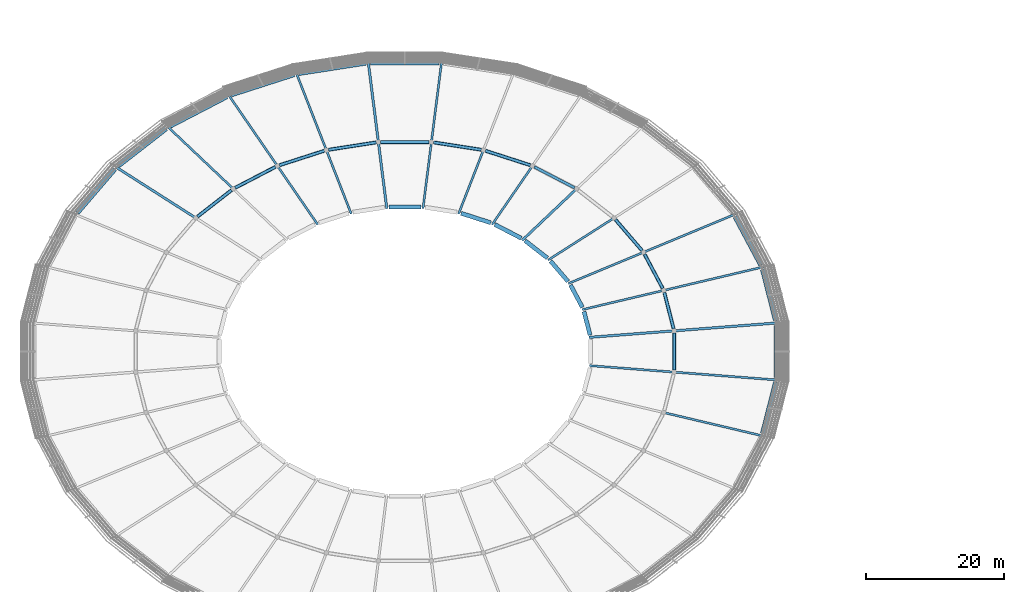
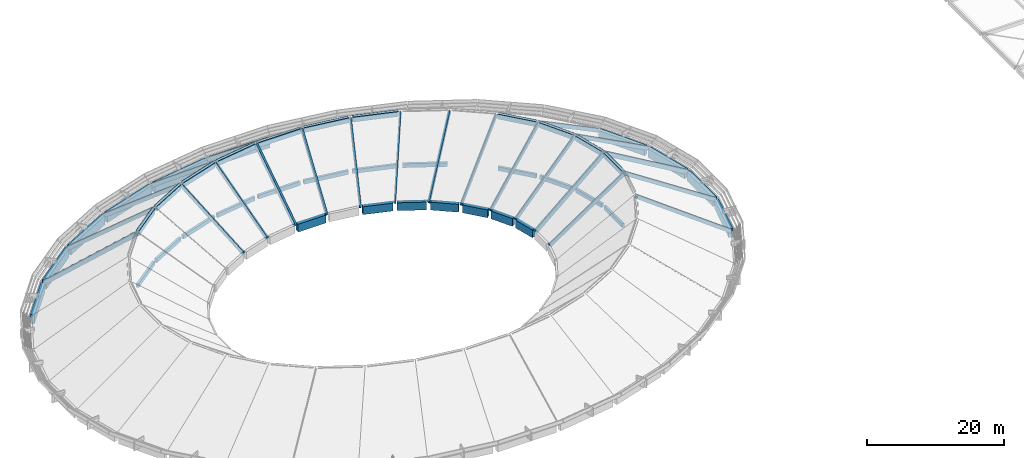
# One storey, part 3 of 15: 63 beams.
"""IFC4 building model written with IfcOpenShell, lengths in metres."""

from ifc_helpers import new_model, si_unit, direction, frame, origin, origin_2d, place, context, subcontext, project, spatial, rectangle, extrude, material, material_profile, profile_set, type_object, element, save


model = new_model("IFC4")

# Units and contexts
model_context = context("Model", 3, precision=1e-05, world=origin(), true_north=direction((0.0, 1.0)))
body_context = subcontext(model_context, "Body", "Model", "MODEL_VIEW")
ifc_project = project(units=[si_unit("LENGTHUNIT", "METRE"), si_unit("AREAUNIT", "SQUARE_METRE"), si_unit("VOLUMEUNIT", "CUBIC_METRE"), si_unit("PLANEANGLEUNIT", "RADIAN"), si_unit("MASSUNIT", "GRAM", prefix="KILO")], contexts=[model_context])

# Site, building, storey
site_placement = place(None, origin())
site = spatial("IfcSite", under=ifc_project, at=site_placement, CompositionType="ELEMENT")
building_placement = place(site_placement, origin())
building = spatial("IfcBuilding", under=site, at=building_placement, Name="Corvandel Quay Wholesale Market", CompositionType="ELEMENT")
storey_placement = place(building_placement, frame((0.0, 0.0, 19.199951171875)))
storey = spatial("IfcBuildingStorey", under=building, at=storey_placement, Name="RF", CompositionType="ELEMENT", Elevation=19.199951171875)

# Beams
ifc_material = material(Name="Precast concrete C45/55", Category="concrete")
ifc_material_profile_1 = material_profile(ifc_material, rectangle(XDim=0.60009765625, YDim=1.39990234375, at=origin_2d()), Name="PC-RING-600x1400")
ifc_profile_set_1 = profile_set([ifc_material_profile_1], Name="Precast concrete C45/55")
beam_type_1 = type_object("IfcBeamType", Name="Inner Yard Shell Ring Beam RB02 600x1400", PredefinedType="USERDEFINED", material=ifc_profile_set_1)
beam_1_placement = place(storey_placement, frame((140.920654296875, 44.3779296875, -4.89990234375), z_axis=(-0.247875307866, 0.968791944512, 0.0), x_axis=(-0.968791944512, -0.247875307866, 0.0)))
element("IfcBeam", 1, at=beam_1_placement, inside=storey, type_object=beam_type_1, Name="Beam BM-0012", ObjectType="GIRDER", PredefinedType="USERDEFINED", context=body_context, shape_type="SweptSolid", body=[
    extrude(rectangle(XDim=0.60009765625, YDim=1.39990234375, at=origin_2d()), origin(), (0.0, 0.0, 1.0), 3.547607421875),
])
beam_2_placement = place(storey_placement, frame((139.8115234375, 48.407470703125, -4.89990234375), z_axis=(-0.469959676706, 0.882687884969, 0.0), x_axis=(-0.882687884969, -0.469959676706, 0.0)))
element("IfcBeam", 2, at=beam_2_placement, inside=storey, type_object=beam_type_1, Name="Beam BM-0025", ObjectType="GIRDER", PredefinedType="USERDEFINED", context=body_context, shape_type="SweptSolid", body=[
    extrude(rectangle(XDim=0.60009765625, YDim=1.39990234375, at=origin_2d()), origin(), (0.0, 0.0, 1.0), 3.68994140625),
])
beam_3_placement = place(storey_placement, frame((137.718505859375, 52.189697265625, -4.89990234375), z_axis=(-0.651616884039, 0.758548242655, 0.0), x_axis=(-0.758548242655, -0.651616884039, 0.0)))
element("IfcBeam", 3, at=beam_3_placement, inside=storey, type_object=beam_type_1, Name="Beam BM-0038", ObjectType="GIRDER", PredefinedType="USERDEFINED", context=body_context, shape_type="SweptSolid", body=[
    extrude(rectangle(XDim=0.60009765625, YDim=1.39990234375, at=origin_2d()), origin(), (0.0, 0.0, 1.0), 3.89501953125),
])
beam_4_placement = place(storey_placement, frame((134.719482421875, 55.58349609375, -4.89990234375), z_axis=(-0.789393650458, 0.6138873387, 0.0), x_axis=(-0.6138873387, -0.789393650458, 0.0)))
element("IfcBeam", 4, at=beam_4_placement, inside=storey, type_object=beam_type_1, Name="Beam BM-0051", ObjectType="GIRDER", PredefinedType="USERDEFINED", context=body_context, shape_type="SweptSolid", body=[
    extrude(rectangle(XDim=0.60009765625, YDim=1.39990234375, at=origin_2d()), origin(), (0.0, 0.0, 1.0), 4.12451171875),
])
beam_5_placement = place(storey_placement, frame((130.927001953125, 58.459716796875, -4.89990234375), z_axis=(-0.887348372729, 0.461099626346, 0.0), x_axis=(-0.461099626346, -0.887348372729, 0.0)))
element("IfcBeam", 5, at=beam_5_placement, inside=storey, type_object=beam_type_1, Name="Beam BM-0064", ObjectType="GIRDER", PredefinedType="USERDEFINED", context=body_context, shape_type="SweptSolid", body=[
    extrude(rectangle(XDim=0.60009765625, YDim=1.39990234375, at=origin_2d()), origin(), (0.0, 0.0, 1.0), 4.34326171875),
])
beam_6_placement = place(storey_placement, frame((126.484375, 60.7080078125, -4.89990234375), z_axis=(-0.951794583003, 0.306736159862, 0.0), x_axis=(-0.306736159862, -0.951794583003, 0.0)))
element("IfcBeam", 6, at=beam_6_placement, inside=storey, type_object=beam_type_1, Name="Beam BM-0076", ObjectType="GIRDER", PredefinedType="USERDEFINED", context=body_context, shape_type="SweptSolid", body=[
    extrude(rectangle(XDim=0.60009765625, YDim=1.39990234375, at=origin_2d()), origin(), (0.0, 0.0, 1.0), 4.521728515625),
])
beam_7_placement = place(storey_placement, frame((116.339111328125, 63.0, -4.89990234375), z_axis=(-1.0, 0.0, 0.0), x_axis=(0.0, -1.0, 0.0)))
element("IfcBeam", 7, at=beam_7_placement, inside=storey, type_object=beam_type_1, Name="Beam BM-0101", ObjectType="GIRDER", PredefinedType="USERDEFINED", context=body_context, shape_type="SweptSolid", body=[
    extrude(rectangle(XDim=0.60009765625, YDim=1.39990234375, at=origin_2d()), origin(), (0.0, 0.0, 1.0), 4.67822265625),
])
ifc_material_profile_2 = material_profile(ifc_material, rectangle(XDim=0.64990234375, YDim=1.60009765625, at=origin_2d()), Name="PC-RING-650x1600")
ifc_profile_set_2 = profile_set([ifc_material_profile_2], Name="Precast concrete C45/55")
beam_type_2 = type_object("IfcBeamType", Name="Outer Elliptical Shell Ring Beam RB01 650x1600", PredefinedType="USERDEFINED", material=ifc_profile_set_2)
beam_8_placement = place(storey_placement, frame((167.91455078125, 46.47119140625, -5.0), z_axis=(-0.247756974273, 0.968822213669, 0.0), x_axis=(-0.968822213669, -0.247756974273, 0.0)))
element("IfcBeam", 8, at=beam_8_placement, inside=storey, type_object=beam_type_2, Name="Beam BM-0011", ObjectType="GIRDER", PredefinedType="USERDEFINED", context=body_context, shape_type="SweptSolid", body=[
    extrude(rectangle(XDim=0.64990234375, YDim=1.60009765625, at=origin_2d()), origin(), (0.0, 0.0, 1.0), 7.68505859375),
])
beam_9_placement = place(storey_placement, frame((165.7626953125, 54.555419921875, -5.0), z_axis=(-0.470101631757, 0.882612290771, 0.0), x_axis=(-0.882612290771, -0.470101631757, 0.0)))
element("IfcBeam", 9, at=beam_9_placement, inside=storey, type_object=beam_type_2, Name="Beam BM-0024", ObjectType="GIRDER", PredefinedType="USERDEFINED", context=body_context, shape_type="SweptSolid", body=[
    extrude(rectangle(XDim=0.64990234375, YDim=1.60009765625, at=origin_2d()), origin(), (0.0, 0.0, 1.0), 7.9697265625),
])
beam_10_placement = place(storey_placement, frame((118.97412109375, 84.0, -5.0), z_axis=(-1.0, 0.0, 0.0), x_axis=(0.0, -1.0, 0.0)))
element("IfcBeam", 10, at=beam_10_placement, inside=storey, type_object=beam_type_2, Name="Beam BM-0100", ObjectType="GIRDER", PredefinedType="USERDEFINED", context=body_context, shape_type="SweptSolid", body=[
    extrude(rectangle(XDim=0.64990234375, YDim=1.60009765625, at=origin_2d()), origin(), (0.0, 0.0, 1.0), 9.9482421875),
])
beam_11_placement = place(storey_placement, frame((108.340087890625, 83.947265625, -5.0), z_axis=(-0.988241749204, -0.152899460859, 0.0), x_axis=(0.152899460859, -0.988241749204, 0.0)))
element("IfcBeam", 11, at=beam_11_placement, inside=storey, type_object=beam_type_2, Name="Beam BM-0112", ObjectType="GIRDER", PredefinedType="USERDEFINED", context=body_context, shape_type="SweptSolid", body=[
    extrude(rectangle(XDim=0.64990234375, YDim=1.60009765625, at=origin_2d()), origin(), (0.0, 0.0, 1.0), 9.8662109375),
])
beam_12_placement = place(storey_placement, frame((97.920654296875, 82.2802734375, -5.0), z_axis=(-0.951825090042, -0.306641481158, 0.0), x_axis=(0.306641481158, -0.951825090042, 0.0)))
element("IfcBeam", 12, at=beam_12_placement, inside=storey, type_object=beam_type_2, Name="Beam BM-0124", ObjectType="GIRDER", PredefinedType="USERDEFINED", context=body_context, shape_type="SweptSolid", body=[
    extrude(rectangle(XDim=0.64990234375, YDim=1.60009765625, at=origin_2d()), origin(), (0.0, 0.0, 1.0), 9.63525390625),
])
beam_13_placement = place(storey_placement, frame((88.114990234375, 79.060791015625, -5.0), z_axis=(-0.887349906091, -0.461096675503, 0.0), x_axis=(0.461096675503, -0.887349906091, 0.0)))
element("IfcBeam", 13, at=beam_13_placement, inside=storey, type_object=beam_type_2, Name="Beam BM-0137", ObjectType="GIRDER", PredefinedType="USERDEFINED", context=body_context, shape_type="SweptSolid", body=[
    extrude(rectangle(XDim=0.64990234375, YDim=1.60009765625, at=origin_2d()), origin(), (0.0, 0.0, 1.0), 9.277099609375),
])
beam_14_placement = place(storey_placement, frame((79.3046875, 74.412109375, -5.0), z_axis=(-0.789326934586, -0.613973118578, 0.0), x_axis=(0.613973118578, -0.789326934586, 0.0)))
element("IfcBeam", 14, at=beam_14_placement, inside=storey, type_object=beam_type_2, Name="Beam BM-0150", ObjectType="GIRDER", PredefinedType="USERDEFINED", context=body_context, shape_type="SweptSolid", body=[
    extrude(rectangle(XDim=0.64990234375, YDim=1.60009765625, at=origin_2d()), origin(), (0.0, 0.0, 1.0), 8.839599609375),
])
beam_15_placement = place(storey_placement, frame((71.830078125, 68.51123046875, -5.0), z_axis=(-0.651594924137, -0.758567106352, 0.0), x_axis=(0.758567106352, -0.651594924137, 0.0)))
element("IfcBeam", 15, at=beam_15_placement, inside=storey, type_object=beam_type_2, Name="Beam BM-0163", ObjectType="GIRDER", PredefinedType="USERDEFINED", context=body_context, shape_type="SweptSolid", body=[
    extrude(rectangle(XDim=0.64990234375, YDim=1.60009765625, at=origin_2d()), origin(), (0.0, 0.0, 1.0), 8.378173828125),
])
beam_16_placement = place(storey_placement, frame((166.010498046875, 30.083251953125, -5.0), z_axis=(0.247756974273, 0.968822213669, 0.0), x_axis=(-0.968822213669, 0.247756974273, 0.0)))
element("IfcBeam", 16, at=beam_16_placement, inside=storey, type_object=beam_type_2, Name="Beam BM-0379", ObjectType="GIRDER", PredefinedType="USERDEFINED", context=body_context, shape_type="SweptSolid", body=[
    extrude(rectangle(XDim=0.64990234375, YDim=1.60009765625, at=origin_2d()), origin(), (0.0, 0.0, 1.0), 7.68505859375),
])
beam_17_placement = place(storey_placement, frame((168.0, 38.2080078125, -5.0), z_axis=(0.0, 1.0, 0.0), x_axis=(-1.0, 0.0, 0.0)))
element("IfcBeam", 17, at=beam_17_placement, inside=storey, type_object=beam_type_2, Name="Beam BM-0391", ObjectType="GIRDER", PredefinedType="USERDEFINED", context=body_context, shape_type="SweptSolid", body=[
    extrude(rectangle(XDim=0.64990234375, YDim=1.60009765625, at=origin_2d()), origin(), (0.0, 0.0, 1.0), 7.583984375),
])
ifc_material_profile_3 = material_profile(ifc_material, rectangle(XDim=0.35009765625, YDim=0.699951171875, at=origin_2d()), Name="PC-RIB-350x700")
ifc_profile_set_3 = profile_set([ifc_material_profile_3], Name="Precast concrete C45/55")
beam_type_3 = type_object("IfcBeamType", Name="Primary Radial Shell Arch Rib AR01 350x700", PredefinedType="BEAM", material=ifc_profile_set_3)
beam_18_placement = place(storey_placement, frame((168.0, 46.136962890625, -4.52001953125), z_axis=(-0.846756762178, -0.064885628983, 0.528008371957), x_axis=(0.076404423709, -0.997076909791, 0.0)))
element("IfcBeam", 18, at=beam_18_placement, inside=storey, type_object=beam_type_3, Name="Beam BM-0395", PredefinedType="BEAM", context=body_context, shape_type="SweptSolid", body=[
    extrude(rectangle(XDim=0.35009765625, YDim=0.699951171875, at=origin_2d()), origin(), (0.0, 0.0, 1.0), 17.53759765625),
])
beam_19_placement = place(storey_placement, frame((141.0, 44.068115234375, -4.52001953125), z_axis=(0.793866285191, 0.060824903457, 0.605042686392), x_axis=(-0.076394669191, 0.997077657216, 0.0)))
element("IfcBeam", 19, at=beam_19_placement, inside=storey, type_object=beam_type_3, Name="Beam BM-0396", PredefinedType="BEAM", context=body_context, shape_type="SweptSolid", body=[
    extrude(rectangle(XDim=0.35009765625, YDim=0.699951171875, at=origin_2d()), origin(), (0.0, 0.0, 1.0), 15.3046875),
])
beam_20_placement = place(storey_placement, frame((131.2109375, 58.31201171875, -4.52001953125), z_axis=(0.548243512081, 0.519507727897, 0.655393600912), x_axis=(-0.687827772453, 0.725873925308, 0.0)))
element("IfcBeam", 20, at=beam_20_placement, inside=storey, type_object=beam_type_3, Name="Beam BM-0408", PredefinedType="BEAM", context=body_context, shape_type="SweptSolid", body=[
    extrude(rectangle(XDim=0.35009765625, YDim=0.699951171875, at=origin_2d()), origin(), (0.0, 0.0, 1.0), 14.12890625),
])
beam_21_placement = place(storey_placement, frame((108.680908203125, 84.0, -4.52001953125), z_axis=(0.098356100915, -0.776427294876, 0.622484323646), x_axis=(0.992071662114, 0.125673454756, 0.0)))
element("IfcBeam", 21, at=beam_21_placement, inside=storey, type_object=beam_type_3, Name="Beam BM-0419", PredefinedType="BEAM", context=body_context, shape_type="SweptSolid", body=[
    extrude(rectangle(XDim=0.35009765625, YDim=0.699951171875, at=origin_2d()), origin(), (0.0, 0.0, 1.0), 14.8759765625),
])
beam_22_placement = place(storey_placement, frame((111.341064453125, 63.0, -4.52001953125), z_axis=(-0.090105534682, 0.711343041188, 0.697045242701), x_axis=(-0.992072676886, -0.125665443842, 0.0)))
element("IfcBeam", 22, at=beam_22_placement, inside=storey, type_object=beam_type_3, Name="Beam BM-0420", PredefinedType="BEAM", context=body_context, shape_type="SweptSolid", body=[
    extrude(rectangle(XDim=0.35009765625, YDim=0.699951171875, at=origin_2d()), origin(), (0.0, 0.0, 1.0), 13.28466796875),
])
beam_23_placement = place(storey_placement, frame((72.054931640625, 68.77294921875, -4.52001953125), z_axis=(0.698129767083, -0.445566016051, 0.560433540799), x_axis=(0.537993647412, 0.842948892486, 0.0)))
element("IfcBeam", 23, at=beam_23_placement, inside=storey, type_object=beam_type_3, Name="Beam BM-0431", PredefinedType="BEAM", context=body_context, shape_type="SweptSolid", body=[
    extrude(rectangle(XDim=0.35009765625, YDim=0.699951171875, at=origin_2d()), origin(), (0.0, 0.0, 1.0), 16.52294921875),
])
ifc_material_profile_4 = material_profile(ifc_material, rectangle(XDim=0.39990234375, YDim=0.699951171875, at=origin_2d()), Name="PC-GIR-400x700")
ifc_profile_set_4 = profile_set([ifc_material_profile_4], Name="Precast concrete C45/55")
beam_type_4 = type_object("IfcBeamType", Name="Roof Deck Primary Girder G07 400x700", PredefinedType="USERDEFINED", material=ifc_profile_set_4)
beam_24_placement = place(storey_placement, frame((153.07080078125, 45.30908203125, -4.75), z_axis=(-0.247850907056, 0.96879818738, 0.0), x_axis=(-0.96879818738, -0.247850907056, 0.0)))
element("IfcBeam", 24, at=beam_24_placement, inside=storey, type_object=beam_type_4, Name="Beam BM-0013", ObjectType="GIRDER", PredefinedType="USERDEFINED", context=body_context, shape_type="SweptSolid", body=[
    extrude(rectangle(XDim=0.39990234375, YDim=0.699951171875, at=origin_2d()), origin(), (0.0, 0.0, 1.0), 5.432373046875),
])
beam_25_placement = place(storey_placement, frame((151.49462890625, 51.164306640625, -4.75), z_axis=(-0.470050984637, 0.882639264842, 0.0), x_axis=(-0.882639264842, -0.470050984637, 0.0)))
element("IfcBeam", 25, at=beam_25_placement, inside=storey, type_object=beam_type_4, Name="Beam BM-0026", ObjectType="GIRDER", PredefinedType="USERDEFINED", context=body_context, shape_type="SweptSolid", body=[
    extrude(rectangle(XDim=0.39990234375, YDim=0.699951171875, at=origin_2d()), origin(), (0.0, 0.0, 1.0), 5.637939453125),
])
beam_26_placement = place(storey_placement, frame((148.485595703125, 56.665771484375, -4.75), z_axis=(-0.651563389062, 0.758594193251, 0.0), x_axis=(-0.758594193251, -0.651563389062, 0.0)))
element("IfcBeam", 26, at=beam_26_placement, inside=storey, type_object=beam_type_4, Name="Beam BM-0039", ObjectType="GIRDER", PredefinedType="USERDEFINED", context=body_context, shape_type="SweptSolid", body=[
    extrude(rectangle(XDim=0.39990234375, YDim=0.699951171875, at=origin_2d()), origin(), (0.0, 0.0, 1.0), 5.935302734375),
])
beam_27_placement = place(storey_placement, frame((138.673095703125, 65.799560546875, -4.75), z_axis=(-0.88738119792, 0.461036451463, 0.0), x_axis=(-0.461036451463, -0.88738119792, 0.0)))
element("IfcBeam", 27, at=beam_27_placement, inside=storey, type_object=beam_type_4, Name="Beam BM-0065", ObjectType="GIRDER", PredefinedType="USERDEFINED", context=body_context, shape_type="SweptSolid", body=[
    extrude(rectangle(XDim=0.39990234375, YDim=0.699951171875, at=origin_2d()), origin(), (0.0, 0.0, 1.0), 6.587158203125),
])
beam_28_placement = place(storey_placement, frame((132.239501953125, 69.082275390625, -4.75), z_axis=(-0.951792624753, 0.306742236195, 0.0), x_axis=(-0.306742236195, -0.951792624753, 0.0)))
element("IfcBeam", 28, at=beam_28_placement, inside=storey, type_object=beam_type_4, Name="Beam BM-0077", ObjectType="GIRDER", PredefinedType="USERDEFINED", context=body_context, shape_type="SweptSolid", body=[
    extrude(rectangle(XDim=0.39990234375, YDim=0.699951171875, at=origin_2d()), origin(), (0.0, 0.0, 1.0), 6.844970703125),
])
beam_29_placement = place(storey_placement, frame((125.103759765625, 71.328857421875, -4.75), z_axis=(-0.988245813427, 0.152873190074, 0.0), x_axis=(-0.152873190074, -0.988245813427, 0.0)))
element("IfcBeam", 29, at=beam_29_placement, inside=storey, type_object=beam_type_4, Name="Beam BM-0090", ObjectType="GIRDER", PredefinedType="USERDEFINED", context=body_context, shape_type="SweptSolid", body=[
    extrude(rectangle(XDim=0.39990234375, YDim=0.699951171875, at=origin_2d()), origin(), (0.0, 0.0, 1.0), 7.01416015625),
])
beam_30_placement = place(storey_placement, frame((117.535888671875, 72.449951171875, -4.75), z_axis=(-1.0, 0.0, 0.0), x_axis=(0.0, -1.0, 0.0)))
element("IfcBeam", 30, at=beam_30_placement, inside=storey, type_object=beam_type_4, Name="Beam BM-0102", ObjectType="GIRDER", PredefinedType="USERDEFINED", context=body_context, shape_type="SweptSolid", body=[
    extrude(rectangle(XDim=0.39990234375, YDim=0.699951171875, at=origin_2d()), origin(), (0.0, 0.0, 1.0), 7.07177734375),
])
beam_31_placement = place(storey_placement, frame((109.827880859375, 72.401123046875, -4.75), z_axis=(-0.988245813427, -0.152873190074, 0.0), x_axis=(0.152873190074, -0.988245813427, 0.0)))
element("IfcBeam", 31, at=beam_31_placement, inside=storey, type_object=beam_type_4, Name="Beam BM-0114", ObjectType="GIRDER", PredefinedType="USERDEFINED", context=body_context, shape_type="SweptSolid", body=[
    extrude(rectangle(XDim=0.39990234375, YDim=0.699951171875, at=origin_2d()), origin(), (0.0, 0.0, 1.0), 7.01416015625),
])
beam_32_placement = place(storey_placement, frame((102.275390625, 71.181884765625, -4.75), z_axis=(-0.951792624753, -0.306742236195, 0.0), x_axis=(0.306742236195, -0.951792624753, 0.0)))
element("IfcBeam", 32, at=beam_32_placement, inside=storey, type_object=beam_type_4, Name="Beam BM-0126", ObjectType="GIRDER", PredefinedType="USERDEFINED", context=body_context, shape_type="SweptSolid", body=[
    extrude(rectangle(XDim=0.39990234375, YDim=0.699951171875, at=origin_2d()), origin(), (0.0, 0.0, 1.0), 6.844970703125),
])
beam_33_placement = place(storey_placement, frame((95.172119140625, 68.83642578125, -4.75), z_axis=(-0.88738119792, -0.461036451463, 0.0), x_axis=(0.461036451463, -0.88738119792, 0.0)))
element("IfcBeam", 33, at=beam_33_placement, inside=storey, type_object=beam_type_4, Name="Beam BM-0139", ObjectType="GIRDER", PredefinedType="USERDEFINED", context=body_context, shape_type="SweptSolid", body=[
    extrude(rectangle(XDim=0.39990234375, YDim=0.699951171875, at=origin_2d()), origin(), (0.0, 0.0, 1.0), 6.587158203125),
])
beam_34_placement = place(storey_placement, frame((88.790283203125, 65.45556640625, -4.75), z_axis=(-0.789360606532, -0.613929827305, 0.0), x_axis=(0.613929827305, -0.789360606532, 0.0)))
element("IfcBeam", 34, at=beam_34_placement, inside=storey, type_object=beam_type_4, Name="Beam BM-0152", ObjectType="GIRDER", PredefinedType="USERDEFINED", context=body_context, shape_type="SweptSolid", body=[
    extrude(rectangle(XDim=0.39990234375, YDim=0.699951171875, at=origin_2d()), origin(), (0.0, 0.0, 1.0), 6.26806640625),
])
beam_35_placement = place(storey_placement, frame((153.14990234375, 39.321044921875, -4.75), z_axis=(0.0, 1.0, 0.0), x_axis=(-1.0, 0.0, 0.0)))
element("IfcBeam", 35, at=beam_35_placement, inside=storey, type_object=beam_type_4, Name="Beam BM-0393", ObjectType="GIRDER", PredefinedType="USERDEFINED", context=body_context, shape_type="SweptSolid", body=[
    extrude(rectangle(XDim=0.39990234375, YDim=0.699951171875, at=origin_2d()), origin(), (0.0, 0.0, 1.0), 5.35791015625),
])
ifc_material_profile_5 = material_profile(ifc_material, rectangle(XDim=0.300048828125, YDim=0.60009765625, at=origin_2d()), Name="PC-RIB-300x600")
ifc_profile_set_5 = profile_set([ifc_material_profile_5], Name="Precast concrete C45/55")
beam_type_5 = type_object("IfcBeamType", Name="Secondary Radial Shell Arch Rib AR02 300x600", PredefinedType="BEAM", material=ifc_profile_set_5)
beam_36_placement = place(storey_placement, frame((165.925048828125, 54.2509765625, -4.469970703125), z_axis=(-0.823064672191, -0.194174649289, 0.533723477997), x_axis=(0.22961339626, -0.973281916126, 0.0)))
element("IfcBeam", 36, at=beam_36_placement, inside=storey, type_object=beam_type_5, Name="Beam BM-0398", PredefinedType="BEAM", context=body_context, shape_type="SweptSolid", body=[
    extrude(rectangle(XDim=0.300048828125, YDim=0.60009765625, at=origin_2d()), origin(), (0.0, 0.0, 1.0), 17.349853515625),
])
beam_37_placement = place(storey_placement, frame((139.9619140625, 48.125, -4.469970703125), z_axis=(0.770622170488, 0.181858071871, 0.610793837598), x_axis=(-0.229679772076, 0.973266254577, 0.0)))
element("IfcBeam", 37, at=beam_37_placement, inside=storey, type_object=beam_type_5, Name="Beam BM-0399", PredefinedType="BEAM", context=body_context, shape_type="SweptSolid", body=[
    extrude(rectangle(XDim=0.300048828125, YDim=0.60009765625, at=origin_2d()), origin(), (0.0, 0.0, 1.0), 15.16064453125),
])
beam_38_placement = place(storey_placement, frame((161.85400390625, 61.89404296875, -4.469970703125), z_axis=(-0.774296921555, -0.321897106193, 0.544836241724), x_axis=(0.383876927754, -0.923384266889, 0.0)))
element("IfcBeam", 38, at=beam_38_placement, inside=storey, type_object=beam_type_5, Name="Beam BM-0401", PredefinedType="BEAM", context=body_context, shape_type="SweptSolid", body=[
    extrude(rectangle(XDim=0.300048828125, YDim=0.60009765625, at=origin_2d()), origin(), (0.0, 0.0, 1.0), 16.995849609375),
])
beam_39_placement = place(storey_placement, frame((137.927001953125, 51.947021484375, -4.469970703125), z_axis=(0.723106920211, 0.300608640768, 0.621892938567), x_axis=(-0.383868940752, 0.923387587271, 0.0)))
element("IfcBeam", 39, at=beam_39_placement, inside=storey, type_object=beam_type_5, Name="Beam BM-0402", PredefinedType="BEAM", context=body_context, shape_type="SweptSolid", body=[
    extrude(rectangle(XDim=0.300048828125, YDim=0.60009765625, at=origin_2d()), origin(), (0.0, 0.0, 1.0), 14.89013671875),
])
beam_40_placement = place(storey_placement, frame((134.971923828125, 55.386962890625, -4.469970703125), z_axis=(0.649566941782, 0.41459503134, 0.637317619506), x_axis=(-0.538015015457, 0.842935254419, 0.0)))
element("IfcBeam", 40, at=beam_40_placement, inside=storey, type_object=beam_type_5, Name="Beam BM-0405", PredefinedType="BEAM", context=body_context, shape_type="SweptSolid", body=[
    extrude(rectangle(XDim=0.300048828125, YDim=0.60009765625, at=origin_2d()), origin(), (0.0, 0.0, 1.0), 14.529541015625),
])
beam_41_placement = place(storey_placement, frame((126.7890625, 60.610107421875, -4.469970703125), z_axis=(0.418620928188, 0.6091243516, 0.673590411727), x_axis=(-0.824137960807, 0.566389107908, 0.0)))
element("IfcBeam", 41, at=beam_41_placement, inside=storey, type_object=beam_type_5, Name="Beam BM-0411", PredefinedType="BEAM", context=body_context, shape_type="SweptSolid", body=[
    extrude(rectangle(XDim=0.300048828125, YDim=0.60009765625, at=origin_2d()), origin(), (0.0, 0.0, 1.0), 13.747314453125),
])
beam_42_placement = place(storey_placement, frame((121.8759765625, 62.193115234375, -4.469970703125), z_axis=(0.263507228682, 0.675650251553, 0.688520644577), x_axis=(-0.931652860438, 0.363349621766, 0.0)))
element("IfcBeam", 42, at=beam_42_placement, inside=storey, type_object=beam_type_5, Name="Beam BM-0414", PredefinedType="BEAM", context=body_context, shape_type="SweptSolid", body=[
    extrude(rectangle(XDim=0.300048828125, YDim=0.60009765625, at=origin_2d()), origin(), (0.0, 0.0, 1.0), 13.44921875),
])
beam_43_placement = place(storey_placement, frame((119.319091796875, 84.0, -4.469970703125), z_axis=(-0.098356100915, -0.776427294876, 0.622484323646), x_axis=(0.992071662114, -0.125673454756, 0.0)))
element("IfcBeam", 43, at=beam_43_placement, inside=storey, type_object=beam_type_5, Name="Beam BM-0416", PredefinedType="BEAM", context=body_context, shape_type="SweptSolid", body=[
    extrude(rectangle(XDim=0.300048828125, YDim=0.60009765625, at=origin_2d()), origin(), (0.0, 0.0, 1.0), 14.8759765625),
])
beam_44_placement = place(storey_placement, frame((116.658935546875, 63.0, -4.469970703125), z_axis=(0.090105534682, 0.711343041188, 0.697045242701), x_axis=(-0.992072676886, 0.125665443842, 0.0)))
element("IfcBeam", 44, at=beam_44_placement, inside=storey, type_object=beam_type_5, Name="Beam BM-0417", PredefinedType="BEAM", context=body_context, shape_type="SweptSolid", body=[
    extrude(rectangle(XDim=0.300048828125, YDim=0.60009765625, at=origin_2d()), origin(), (0.0, 0.0, 1.0), 13.28466796875),
])
beam_45_placement = place(storey_placement, frame((98.2490234375, 82.385986328125, -4.469970703125), z_axis=(0.286926700723, -0.735755107998, 0.613463519263), x_axis=(0.931662181127, 0.363325721987, 0.0)))
element("IfcBeam", 45, at=beam_45_placement, inside=storey, type_object=beam_type_5, Name="Beam BM-0422", PredefinedType="BEAM", context=body_context, shape_type="SweptSolid", body=[
    extrude(rectangle(XDim=0.300048828125, YDim=0.60009765625, at=origin_2d()), origin(), (0.0, 0.0, 1.0), 15.0947265625),
])
beam_46_placement = place(storey_placement, frame((106.1240234375, 62.193115234375, -4.469970703125), z_axis=(-0.263507228682, 0.675650251553, 0.688520644577), x_axis=(-0.931652860438, -0.363349621766, 0.0)))
element("IfcBeam", 46, at=beam_46_placement, inside=storey, type_object=beam_type_5, Name="Beam BM-0423", PredefinedType="BEAM", context=body_context, shape_type="SweptSolid", body=[
    extrude(rectangle(XDim=0.300048828125, YDim=0.60009765625, at=origin_2d()), origin(), (0.0, 0.0, 1.0), 13.44921875),
])
beam_47_placement = place(storey_placement, frame((88.4208984375, 79.219970703125, -4.469970703125), z_axis=(0.454099768617, -0.66071075093, 0.597707874926), x_axis=(0.824122782292, 0.566411193134, 0.0)))
element("IfcBeam", 47, at=beam_47_placement, inside=storey, type_object=beam_type_5, Name="Beam BM-0425", PredefinedType="BEAM", context=body_context, shape_type="SweptSolid", body=[
    extrude(rectangle(XDim=0.300048828125, YDim=0.60009765625, at=origin_2d()), origin(), (0.0, 0.0, 1.0), 15.492431640625),
])
beam_48_placement = place(storey_placement, frame((101.2109375, 60.610107421875, -4.469970703125), z_axis=(-0.418620928188, 0.6091243516, 0.673590411727), x_axis=(-0.824137960807, -0.566389107908, 0.0)))
element("IfcBeam", 48, at=beam_48_placement, inside=storey, type_object=beam_type_5, Name="Beam BM-0426", PredefinedType="BEAM", context=body_context, shape_type="SweptSolid", body=[
    extrude(rectangle(XDim=0.300048828125, YDim=0.60009765625, at=origin_2d()), origin(), (0.0, 0.0, 1.0), 13.747314453125),
])
beam_49_placement = place(storey_placement, frame((79.576904296875, 74.6240234375, -4.469970703125), z_axis=(0.591802925722, -0.560910058994, 0.578920722402), x_axis=(0.687909221922, 0.72579673628, 0.0)))
element("IfcBeam", 49, at=beam_49_placement, inside=storey, type_object=beam_type_5, Name="Beam BM-0428", PredefinedType="BEAM", context=body_context, shape_type="SweptSolid", body=[
    extrude(rectangle(XDim=0.300048828125, YDim=0.60009765625, at=origin_2d()), origin(), (0.0, 0.0, 1.0), 15.995361328125),
])
beam_50_placement = place(storey_placement, frame((165.925048828125, 29.7490234375, -4.469970703125), z_axis=(-0.823064672191, 0.194174649289, 0.533723477997), x_axis=(-0.22961339626, -0.973281916126, 0.0)))
element("IfcBeam", 50, at=beam_50_placement, inside=storey, type_object=beam_type_5, Name="Beam BM-0485", PredefinedType="BEAM", context=body_context, shape_type="SweptSolid", body=[
    extrude(rectangle(XDim=0.300048828125, YDim=0.60009765625, at=origin_2d()), origin(), (0.0, 0.0, 1.0), 17.349853515625),
])
beam_51_placement = place(storey_placement, frame((168.0, 37.863037109375, -4.469970703125), z_axis=(-0.846756762178, 0.064885628983, 0.528008371957), x_axis=(-0.076404423709, -0.997076909791, 0.0)))
element("IfcBeam", 51, at=beam_51_placement, inside=storey, type_object=beam_type_5, Name="Beam BM-0488", PredefinedType="BEAM", context=body_context, shape_type="SweptSolid", body=[
    extrude(rectangle(XDim=0.300048828125, YDim=0.60009765625, at=origin_2d()), origin(), (0.0, 0.0, 1.0), 17.53759765625),
])
beam_52_placement = place(storey_placement, frame((141.0, 39.931884765625, -4.469970703125), z_axis=(0.793866285191, -0.060824903457, 0.605042686392), x_axis=(0.076394669191, 0.997077657216, 0.0)))
element("IfcBeam", 52, at=beam_52_placement, inside=storey, type_object=beam_type_5, Name="Beam BM-0489", PredefinedType="BEAM", context=body_context, shape_type="SweptSolid", body=[
    extrude(rectangle(XDim=0.300048828125, YDim=0.60009765625, at=origin_2d()), origin(), (0.0, 0.0, 1.0), 15.3046875),
])
ifc_material_profile_6 = material_profile(ifc_material, rectangle(XDim=0.5, YDim=0.89990234375, at=origin_2d()), Name="PC-RING-500x900")
ifc_profile_set_6 = profile_set([ifc_material_profile_6], Name="Precast concrete C45/55")
beam_type_6 = type_object("IfcBeamType", Name="Shell Crown Compression Ring RB03 500x900", PredefinedType="USERDEFINED", material=ifc_profile_set_6)
beam_53_placement = place(storey_placement, frame((153.07080078125, 45.30908203125, 4.610107421875), z_axis=(-0.247850907056, 0.96879818738, 0.0), x_axis=(-0.96879818738, -0.247850907056, 0.0)))
element("IfcBeam", 53, at=beam_53_placement, inside=storey, type_object=beam_type_6, Name="Beam BM-0394", ObjectType="GIRDER", PredefinedType="USERDEFINED", context=body_context, shape_type="SweptSolid", body=[
    extrude(rectangle(XDim=0.5, YDim=0.89990234375, at=origin_2d()), origin(), (0.0, 0.0, 1.0), 5.432373046875),
])
beam_54_placement = place(storey_placement, frame((151.49462890625, 51.164306640625, 4.610107421875), z_axis=(-0.470050984637, 0.882639264842, 0.0), x_axis=(-0.882639264842, -0.470050984637, 0.0)))
element("IfcBeam", 54, at=beam_54_placement, inside=storey, type_object=beam_type_6, Name="Beam BM-0397", ObjectType="GIRDER", PredefinedType="USERDEFINED", context=body_context, shape_type="SweptSolid", body=[
    extrude(rectangle(XDim=0.5, YDim=0.89990234375, at=origin_2d()), origin(), (0.0, 0.0, 1.0), 5.637939453125),
])
beam_55_placement = place(storey_placement, frame((148.485595703125, 56.665771484375, 4.610107421875), z_axis=(-0.651563389062, 0.758594193251, 0.0), x_axis=(-0.758594193251, -0.651563389062, 0.0)))
element("IfcBeam", 55, at=beam_55_placement, inside=storey, type_object=beam_type_6, Name="Beam BM-0400", ObjectType="GIRDER", PredefinedType="USERDEFINED", context=body_context, shape_type="SweptSolid", body=[
    extrude(rectangle(XDim=0.5, YDim=0.89990234375, at=origin_2d()), origin(), (0.0, 0.0, 1.0), 5.935302734375),
])
beam_56_placement = place(storey_placement, frame((132.239501953125, 69.082275390625, 4.610107421875), z_axis=(-0.951792624753, 0.306742236195, 0.0), x_axis=(-0.306742236195, -0.951792624753, 0.0)))
element("IfcBeam", 56, at=beam_56_placement, inside=storey, type_object=beam_type_6, Name="Beam BM-0409", ObjectType="GIRDER", PredefinedType="USERDEFINED", context=body_context, shape_type="SweptSolid", body=[
    extrude(rectangle(XDim=0.5, YDim=0.89990234375, at=origin_2d()), origin(), (0.0, 0.0, 1.0), 6.844970703125),
])
beam_57_placement = place(storey_placement, frame((125.103759765625, 71.328857421875, 4.610107421875), z_axis=(-0.988245813427, 0.152873190074, 0.0), x_axis=(-0.152873190074, -0.988245813427, 0.0)))
element("IfcBeam", 57, at=beam_57_placement, inside=storey, type_object=beam_type_6, Name="Beam BM-0412", ObjectType="GIRDER", PredefinedType="USERDEFINED", context=body_context, shape_type="SweptSolid", body=[
    extrude(rectangle(XDim=0.5, YDim=0.89990234375, at=origin_2d()), origin(), (0.0, 0.0, 1.0), 7.01416015625),
])
beam_58_placement = place(storey_placement, frame((117.535888671875, 72.449951171875, 4.610107421875), z_axis=(-1.0, 0.0, 0.0), x_axis=(0.0, -1.0, 0.0)))
element("IfcBeam", 58, at=beam_58_placement, inside=storey, type_object=beam_type_6, Name="Beam BM-0415", ObjectType="GIRDER", PredefinedType="USERDEFINED", context=body_context, shape_type="SweptSolid", body=[
    extrude(rectangle(XDim=0.5, YDim=0.89990234375, at=origin_2d()), origin(), (0.0, 0.0, 1.0), 7.07177734375),
])
beam_59_placement = place(storey_placement, frame((109.827880859375, 72.401123046875, 4.610107421875), z_axis=(-0.988245813427, -0.152873190074, 0.0), x_axis=(0.152873190074, -0.988245813427, 0.0)))
element("IfcBeam", 59, at=beam_59_placement, inside=storey, type_object=beam_type_6, Name="Beam BM-0418", ObjectType="GIRDER", PredefinedType="USERDEFINED", context=body_context, shape_type="SweptSolid", body=[
    extrude(rectangle(XDim=0.5, YDim=0.89990234375, at=origin_2d()), origin(), (0.0, 0.0, 1.0), 7.01416015625),
])
beam_60_placement = place(storey_placement, frame((102.275390625, 71.181884765625, 4.610107421875), z_axis=(-0.951792624753, -0.306742236195, 0.0), x_axis=(0.306742236195, -0.951792624753, 0.0)))
element("IfcBeam", 60, at=beam_60_placement, inside=storey, type_object=beam_type_6, Name="Beam BM-0421", ObjectType="GIRDER", PredefinedType="USERDEFINED", context=body_context, shape_type="SweptSolid", body=[
    extrude(rectangle(XDim=0.5, YDim=0.89990234375, at=origin_2d()), origin(), (0.0, 0.0, 1.0), 6.844970703125),
])
beam_61_placement = place(storey_placement, frame((95.172119140625, 68.83642578125, 4.610107421875), z_axis=(-0.88738119792, -0.461036451463, 0.0), x_axis=(0.461036451463, -0.88738119792, 0.0)))
element("IfcBeam", 61, at=beam_61_placement, inside=storey, type_object=beam_type_6, Name="Beam BM-0424", ObjectType="GIRDER", PredefinedType="USERDEFINED", context=body_context, shape_type="SweptSolid", body=[
    extrude(rectangle(XDim=0.5, YDim=0.89990234375, at=origin_2d()), origin(), (0.0, 0.0, 1.0), 6.587158203125),
])
beam_62_placement = place(storey_placement, frame((88.790283203125, 65.45556640625, 4.610107421875), z_axis=(-0.789360606532, -0.613929827305, 0.0), x_axis=(0.613929827305, -0.789360606532, 0.0)))
element("IfcBeam", 62, at=beam_62_placement, inside=storey, type_object=beam_type_6, Name="Beam BM-0427", ObjectType="GIRDER", PredefinedType="USERDEFINED", context=body_context, shape_type="SweptSolid", body=[
    extrude(rectangle(XDim=0.5, YDim=0.89990234375, at=origin_2d()), origin(), (0.0, 0.0, 1.0), 6.26806640625),
])
beam_63_placement = place(storey_placement, frame((153.14990234375, 39.321044921875, 4.610107421875), z_axis=(0.0, 1.0, 0.0), x_axis=(-1.0, 0.0, 0.0)))
element("IfcBeam", 63, at=beam_63_placement, inside=storey, type_object=beam_type_6, Name="Beam BM-0487", ObjectType="GIRDER", PredefinedType="USERDEFINED", context=body_context, shape_type="SweptSolid", body=[
    extrude(rectangle(XDim=0.5, YDim=0.89990234375, at=origin_2d()), origin(), (0.0, 0.0, 1.0), 5.35791015625),
])

save(model, "model.ifc")
